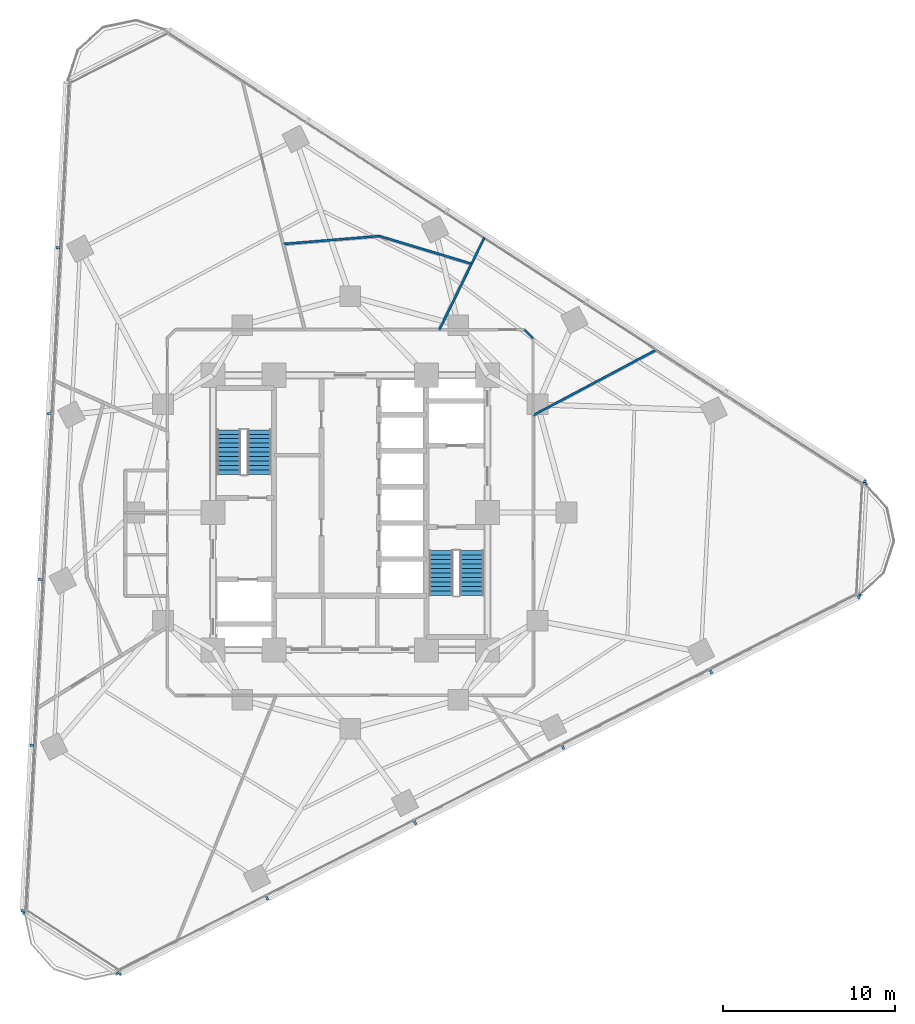
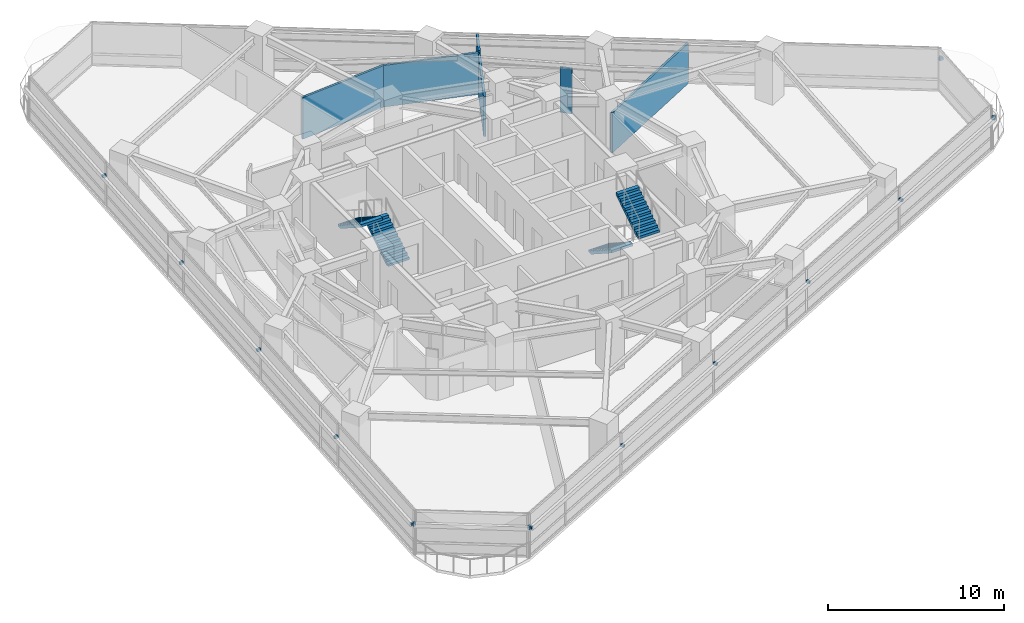
# One storey, part 10 of 14: 16 discrete accessories, 6 walls, 4 stair flights, 2 elements without a shape of their own.
"""IFC4 building model written with IfcOpenShell, lengths in metres."""

from ifc_helpers import new_model, si_unit, direction, frame, frame_2d, origin, origin_2d, place, context, subcontext, project, spatial, polyline, rectangle, outline, extrude, material, layer, layer_set, type_object, element, aggregate, save


model = new_model("IFC4")

# Units and contexts
model_context = context("Model", 3, precision=1e-05, world=origin(), true_north=direction((0.0, 1.0)))
body_context = subcontext(model_context, "Body", "Model", "MODEL_VIEW")
ifc_project = project(units=[si_unit("LENGTHUNIT", "METRE"), si_unit("AREAUNIT", "SQUARE_METRE"), si_unit("VOLUMEUNIT", "CUBIC_METRE"), si_unit("PLANEANGLEUNIT", "RADIAN"), si_unit("MASSUNIT", "GRAM", prefix="KILO")], contexts=[model_context])

# Site, building, storey
site_placement = place(None, origin())
site = spatial("IfcSite", under=ifc_project, at=site_placement, CompositionType="ELEMENT")
building_placement = place(site_placement, origin())
building = spatial("IfcBuilding", under=site, at=building_placement, Name="Terralouvre Media Tower", CompositionType="ELEMENT")
storey_placement = place(building_placement, frame((0.0, 0.0, 134.699951171875)))
storey = spatial("IfcBuildingStorey", under=building, at=storey_placement, Name="L34", CompositionType="ELEMENT", Elevation=134.699951171875)

# Walls
ifc_material_1 = material(Name="Fire-rated gypsum board drywall partition")
ifc_layer = layer(ifc_material_1, 0.135009765625, Name="Newsroom Acoustic Partition PT-135")
ifc_layer_set = layer_set([ifc_layer], Name="Fire-rated gypsum board drywall partition")
wall_type = type_object("IfcWallType", Name="Newsroom Acoustic Partition PT-135", PredefinedType="PARTITIONING", material=ifc_layer_set)
wall_1_placement = place(storey_placement, frame((10.64990234375, 10.14990234375, 0.0), z_axis=(0.0, 0.0, 1.0), x_axis=(-0.707106781187, 0.707106781187, 0.0)))
element("IfcWall", 1, at=wall_1_placement, inside=storey, type_object=wall_type, Name="L34 Interior Partition 013", PredefinedType="PARTITIONING", context=body_context, shape_type="SweptSolid", body=[
    extrude(rectangle(XDim=0.70703125, YDim=0.135009765625, at=frame_2d((0.353515625, 0.0))), origin(), (0.0, 0.0, 1.0), 3.125),
])
wall_2_placement = place(storey_placement, frame((17.8603515625, 9.49658203125, 0.0), z_axis=(0.0, 0.0, 1.0), x_axis=(-0.882966259968, -0.469436453376, 0.0)))
element("IfcWall", 2, at=wall_2_placement, inside=storey, type_object=wall_type, Name="L34 Interior Partition 036", PredefinedType="PARTITIONING", context=body_context, shape_type="SweptSolid", body=[
    extrude(rectangle(XDim=8.166259765625, YDim=0.135009765625, at=frame_2d((4.0830078125, 0.0))), origin(), (0.0, 0.0, 1.0), 2.78515625),
])
wall_3_placement = place(storey_placement, frame((7.069091796875, 14.492919921875, 0.0), z_axis=(0.0, 0.0, 1.0), x_axis=(-0.438491124388, -0.898735519401, 0.0)))
element("IfcWall", 3, at=wall_3_placement, inside=storey, type_object=wall_type, Name="L34 Interior Partition 037", PredefinedType="PARTITIONING", context=body_context, shape_type="SweptSolid", body=[
    extrude(rectangle(XDim=4.276123046875, YDim=0.135009765625, at=frame_2d((2.13818359375, 0.0))), origin(), (0.0, 0.0, 1.0), 2.78515625),
])
wall_4_placement = place(storey_placement, frame((7.8134765625, 16.02099609375, 0.0), z_axis=(0.0, 0.0, 1.0), x_axis=(-0.437939658317, -0.899004369107, 0.0)))
element("IfcWall", 4, at=wall_4_placement, inside=storey, type_object=wall_type, Name="L34 Interior Partition 038", PredefinedType="PARTITIONING", context=body_context, shape_type="SweptSolid", body=[
    extrude(rectangle(XDim=1.69970703125, YDim=0.135009765625, at=frame_2d((0.849853515625, 0.0))), origin(), (0.0, 0.0, 1.0), 2.985107421875),
])
wall_5_placement = place(storey_placement, frame((7.069091796875, 14.492919921875, 0.0), z_axis=(0.0, 0.0, 1.0), x_axis=(-0.957562573124, 0.288225464789, 0.0)))
element("IfcWall", 5, at=wall_5_placement, inside=storey, type_object=wall_type, Name="L34 Interior Partition 039", PredefinedType="PARTITIONING", context=body_context, shape_type="SweptSolid", body=[
    extrude(rectangle(XDim=5.6142578125, YDim=0.135009765625, at=frame_2d((2.80712890625, 0.0))), origin(), (0.0, 0.0, 1.0), 2.885009765625),
])
wall_6_placement = place(storey_placement, frame((1.693115234375, 16.111083984375, 0.0), z_axis=(0.0, 0.0, 1.0), x_axis=(-0.996561637531, -0.082854707786, 0.0)))
element("IfcWall", 6, at=wall_6_placement, inside=storey, type_object=wall_type, Name="L34 Interior Partition 040", PredefinedType="PARTITIONING", context=body_context, shape_type="SweptSolid", body=[
    extrude(rectangle(XDim=5.61328125, YDim=0.135009765625, at=frame_2d((2.806640625, 0.0))), origin(), (0.0, 0.0, 1.0), 2.885009765625),
])

# Stair, stair flights
ifc_material_2 = material(Name="Concrete C45/55", Category="concrete")
stair_type_1 = type_object("IfcStairType", Name="Dogleg Stair Assembly ST-01", PredefinedType="HALF_TURN_STAIR", material=ifc_material_2)
stair_1_placement = place(storey_placement, origin())
stair_1 = element("IfcStair", 7, at=stair_1_placement, inside=storey, type_object=stair_type_1, Name="L34 Core Pressurised Exit Stair ST-01", PredefinedType="HALF_TURN_STAIR")
ifc_material_3 = material(Name="Concrete C45/55", Category="concrete")
stair_flight_type = type_object("IfcStairFlightType", Name="Reinforced Concrete Stair Flight SF-RC1", PredefinedType="STRAIGHT", material=ifc_material_3)
stair_flight_1_placement = place(storey_placement, frame((-5.300048828125, 2.219970703125, 0.0), z_axis=(0.0, 0.0, 1.0), x_axis=(0.0, 1.0, 0.0)))
stair_flight_1 = element("IfcStairFlight", 8, at=stair_flight_1_placement, type_object=stair_flight_type, Name="ST-01 flight 1", NumberOfRisers=11, NumberOfTreads=10, PredefinedType="STRAIGHT", RiserHeight=0.168181818, TreadLength=0.26, context=body_context, shape_type="SweptSolid", body=[
    extrude(outline(polyline([(0.0, 0.0), (0.0, 0.168212890625), (0.260009765625, 0.168212890625), (0.260009765625, 0.33642578125), (0.52001953125, 0.33642578125), (0.52001953125, 0.504638671875), (0.780029296875, 0.504638671875), (0.780029296875, 0.672607421875), (1.0400390625, 0.672607421875), (1.0400390625, 0.8408203125), (1.300048828125, 0.8408203125), (1.300048828125, 1.009033203125), (1.56005859375, 1.009033203125), (1.56005859375, 1.17724609375), (1.820068359375, 1.17724609375), (1.820068359375, 1.345458984375), (2.080078125, 1.345458984375), (2.080078125, 1.513671875), (2.340087890625, 1.513671875), (2.340087890625, 1.681884765625), (2.60009765625, 1.681884765625), (2.60009765625, 1.85009765625), (2.60009765625, 1.503173828125), (0.27587890625, 0.0), (0.0, 0.0)])), frame((0.0, 0.699951171875, 0.0), z_axis=(0.0, -1.0, 0.0), x_axis=(1.0, 0.0, 0.0)), (0.0, 0.0, 1.0), 1.39990234375),
])
stair_flight_2_placement = place(storey_placement, frame((-7.080078125, 4.820068359375, 1.85009765625), z_axis=(0.0, 0.0, 1.0), x_axis=(0.0, -1.0, 0.0)))
stair_flight_2 = element("IfcStairFlight", 9, at=stair_flight_2_placement, type_object=stair_flight_type, Name="ST-01 flight 2", NumberOfRisers=11, NumberOfTreads=10, PredefinedType="STRAIGHT", RiserHeight=0.168181818, TreadLength=0.26, context=body_context, shape_type="SweptSolid", body=[
    extrude(outline(polyline([(0.0, 0.0), (0.0, 0.168212890625), (0.260009765625, 0.168212890625), (0.260009765625, 0.33642578125), (0.52001953125, 0.33642578125), (0.52001953125, 0.504638671875), (0.780029296875, 0.504638671875), (0.780029296875, 0.672607421875), (1.0400390625, 0.672607421875), (1.0400390625, 0.8408203125), (1.300048828125, 0.8408203125), (1.300048828125, 1.009033203125), (1.56005859375, 1.009033203125), (1.56005859375, 1.17724609375), (1.820068359375, 1.17724609375), (1.820068359375, 1.345458984375), (2.080078125, 1.345458984375), (2.080078125, 1.513671875), (2.340087890625, 1.513671875), (2.340087890625, 1.681884765625), (2.60009765625, 1.681884765625), (2.60009765625, 1.85009765625), (2.60009765625, 1.503173828125), (0.27587890625, 0.0), (0.0, 0.0)])), frame((0.0, 0.699951171875, 0.0), z_axis=(0.0, -1.0, 0.0), x_axis=(1.0, 0.0, 0.0)), (0.0, 0.0, 1.0), 1.39990234375),
])
aggregate(stair_1, [stair_flight_1, stair_flight_2])

ifc_material_4 = material(Name="Concrete C45/55", Category="concrete")
stair_type_2 = type_object("IfcStairType", Name="Dogleg Stair Assembly ST-02", PredefinedType="HALF_TURN_STAIR", material=ifc_material_4)
stair_2_placement = place(storey_placement, origin())
stair_2 = element("IfcStair", 10, at=stair_2_placement, inside=storey, type_object=stair_type_2, Name="L34 Core Pressurised Exit Stair ST-02", PredefinedType="HALF_TURN_STAIR")
stair_flight_3_placement = place(storey_placement, frame((5.300048828125, -2.219970703125, 0.0), z_axis=(0.0, 0.0, 1.0), x_axis=(0.0, -1.0, 0.0)))
stair_flight_3 = element("IfcStairFlight", 11, at=stair_flight_3_placement, type_object=stair_flight_type, Name="ST-02 flight 1", NumberOfRisers=11, NumberOfTreads=10, PredefinedType="STRAIGHT", RiserHeight=0.168181818, TreadLength=0.26, context=body_context, shape_type="SweptSolid", body=[
    extrude(outline(polyline([(0.0, 0.0), (0.0, 0.168212890625), (0.260009765625, 0.168212890625), (0.260009765625, 0.33642578125), (0.52001953125, 0.33642578125), (0.52001953125, 0.504638671875), (0.780029296875, 0.504638671875), (0.780029296875, 0.672607421875), (1.0400390625, 0.672607421875), (1.0400390625, 0.8408203125), (1.300048828125, 0.8408203125), (1.300048828125, 1.009033203125), (1.56005859375, 1.009033203125), (1.56005859375, 1.17724609375), (1.820068359375, 1.17724609375), (1.820068359375, 1.345458984375), (2.080078125, 1.345458984375), (2.080078125, 1.513671875), (2.340087890625, 1.513671875), (2.340087890625, 1.681884765625), (2.60009765625, 1.681884765625), (2.60009765625, 1.85009765625), (2.60009765625, 1.503173828125), (0.27587890625, 0.0), (0.0, 0.0)])), frame((0.0, 0.699951171875, 0.0), z_axis=(0.0, -1.0, 0.0), x_axis=(1.0, 0.0, 0.0)), (0.0, 0.0, 1.0), 1.39990234375),
])
stair_flight_4_placement = place(storey_placement, frame((7.080078125, -4.820068359375, 1.85009765625), z_axis=(0.0, 0.0, 1.0), x_axis=(0.0, 1.0, 0.0)))
stair_flight_4 = element("IfcStairFlight", 12, at=stair_flight_4_placement, type_object=stair_flight_type, Name="ST-02 flight 2", NumberOfRisers=11, NumberOfTreads=10, PredefinedType="STRAIGHT", RiserHeight=0.168181818, TreadLength=0.26, context=body_context, shape_type="SweptSolid", body=[
    extrude(outline(polyline([(0.0, 0.0), (0.0, 0.168212890625), (0.260009765625, 0.168212890625), (0.260009765625, 0.33642578125), (0.52001953125, 0.33642578125), (0.52001953125, 0.504638671875), (0.780029296875, 0.504638671875), (0.780029296875, 0.672607421875), (1.0400390625, 0.672607421875), (1.0400390625, 0.8408203125), (1.300048828125, 0.8408203125), (1.300048828125, 1.009033203125), (1.56005859375, 1.009033203125), (1.56005859375, 1.17724609375), (1.820068359375, 1.17724609375), (1.820068359375, 1.345458984375), (2.080078125, 1.345458984375), (2.080078125, 1.513671875), (2.340087890625, 1.513671875), (2.340087890625, 1.681884765625), (2.60009765625, 1.681884765625), (2.60009765625, 1.85009765625), (2.60009765625, 1.503173828125), (0.27587890625, 0.0), (0.0, 0.0)])), frame((0.0, 0.699951171875, 0.0), z_axis=(0.0, -1.0, 0.0), x_axis=(1.0, 0.0, 0.0)), (0.0, 0.0, 1.0), 1.39990234375),
])
aggregate(stair_2, [stair_flight_3, stair_flight_4])

# Discrete accessories
ifc_material_5 = material(Name="Anodised extruded aluminium 6063-T6", Category="aluminium")
discrete_accessory_type = type_object("IfcDiscreteAccessoryType", Name="Mullion Stand-Off Baguette Fixing Bracket BK-01", PredefinedType="BRACKET", material=ifc_material_5)
for number, where, z_axis, x_axis, name in (
    (13, (-13.442626953125, -26.840087890625, 2.07421875), (0.0, 0.0, 1.0), (0.891006501178, 0.4539905449, 0.0), "CW-L34-F0 Baguette Outrigger Bracket 1.01"),
    (14, (-4.85107421875, -22.46240234375, 2.07421875), (0.0, 0.0, 1.0), (0.891006501178, 0.4539905449, 0.0), "CW-L34-F0 Baguette Outrigger Bracket 1.02"),
    (15, (3.77392578125, -18.06787109375, 2.07421875), (0.0, 0.0, 1.0), (0.891006501178, 0.4539905449, 0.0), "CW-L34-F0 Baguette Outrigger Bracket 1.03"),
    (16, (12.39892578125, -13.673095703125, 2.07421875), (0.0, 0.0, 1.0), (0.891006501178, 0.4539905449, 0.0), "CW-L34-F0 Baguette Outrigger Bracket 1.04"),
    (17, (21.02392578125, -9.278564453125, 2.07421875), (0.0, 0.0, 1.0), (0.891006501178, 0.4539905449, 0.0), "CW-L34-F0 Baguette Outrigger Bracket 1.05"),
    (18, (29.615478515625, -4.90087890625, 2.07421875), (0.0, 0.0, 1.0), (0.891006501178, 0.4539905449, 0.0), "CW-L34-F0 Baguette Outrigger Bracket 1.06"),
    (19, (29.96533203125, 1.778564453125, 2.07421875), (0.0, 0.0, 1.0), (-0.838670588944, 0.544639002681, 0.0), "CW-L34-F1 Baguette Outrigger Bracket 1.01"),
    (20, (-17.027587890625, 15.432373046875, 2.07421875), (0.0, 0.0, 1.0), (-0.052335949864, -0.998629535089, 0.0), "CW-L34-F2 Baguette Outrigger Bracket 1.02"),
    (21, (-17.5341796875, 5.765625, 2.07421875), (0.0, 0.0, 1.0), (-0.052335949864, -0.998629535089, 0.0), "CW-L34-F2 Baguette Outrigger Bracket 1.03"),
    (22, (-18.040771484375, -3.901123046875, 2.07421875), (0.0, 0.0, 1.0), (-0.052335949864, -0.998629535089, 0.0), "CW-L34-F2 Baguette Outrigger Bracket 1.04"),
    (23, (-18.54736328125, -13.56787109375, 2.07421875), (0.0, 0.0, 1.0), (-0.052335949864, -0.998629535089, 0.0), "CW-L34-F2 Baguette Outrigger Bracket 1.05"),
    (24, (-19.052001953125, -23.197265625, 2.07421875), (0.0, 0.0, 1.0), (-0.052335949864, -0.998629535089, 0.0), "CW-L34-F2 Baguette Outrigger Bracket 1.06"),
    (25, (-18.993408203125, -23.27392578125, 2.07421875), (0.0, 0.0, 1.0), (0.838670390568, -0.544639308152, 0.0), "CW-L34-C0 Baguette Outrigger Bracket 1.01"),
    (26, (-13.536376953125, -26.81787109375, 2.07421875), (0.0, 0.0, 1.0), (0.838670390568, -0.544639308152, 0.0), "CW-L34-C0 Baguette Outrigger Bracket 1.02"),
    (27, (29.652587890625, -4.81201171875, 2.07421875), (0.0, 0.0, 1.0), (0.052336823006, 0.998629489329, 0.0), "CW-L34-C1 Baguette Outrigger Bracket 1.01"),
    (28, (29.9931640625, 1.68603515625, 2.07421875), (0.0, 0.0, 1.0), (0.052336823006, 0.998629489329, 0.0), "CW-L34-C1 Baguette Outrigger Bracket 1.02"),
):
    element("IfcDiscreteAccessory", number, at=place(storey_placement, frame(where, z_axis=z_axis, x_axis=x_axis)), inside=storey, type_object=discrete_accessory_type, Name=name, PredefinedType="BRACKET", context=body_context, shape_type="SweptSolid", body=[
        extrude(rectangle(XDim=0.139892578125, YDim=0.239990234375, at=origin_2d()), origin(), (0.0, 0.0, 1.0), 0.179931640625),
    ])

save(model, "model.ifc")
